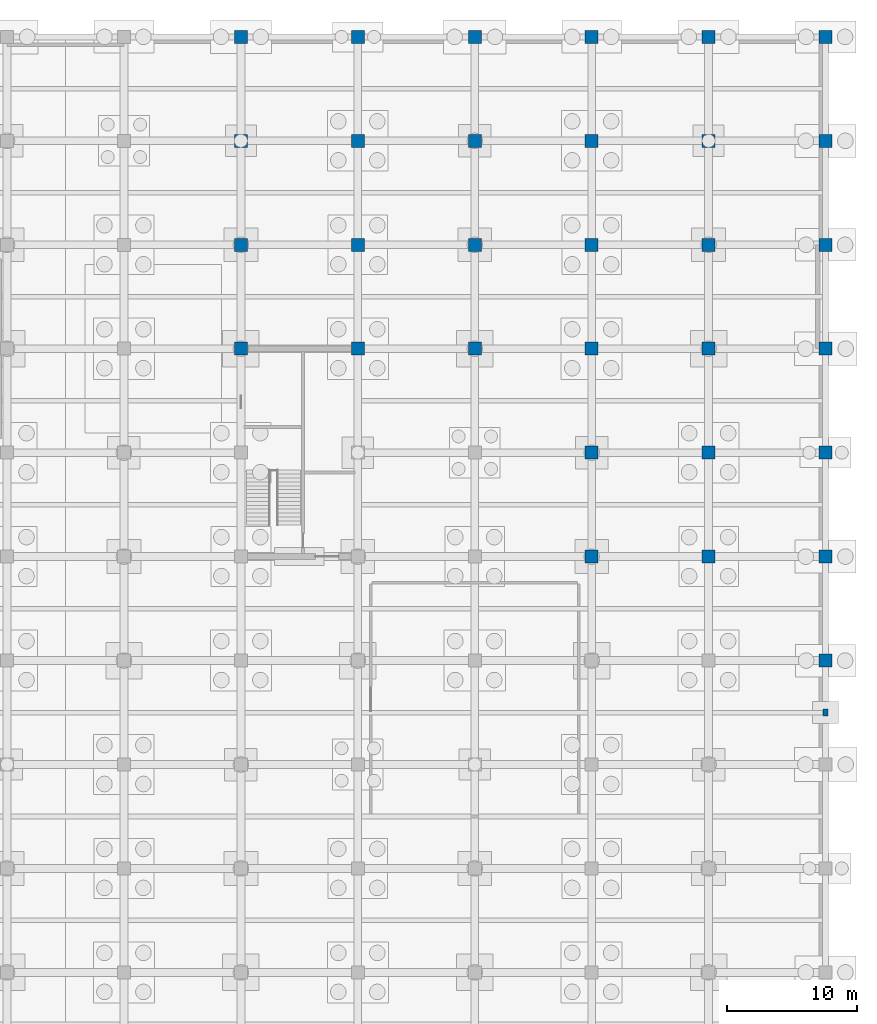
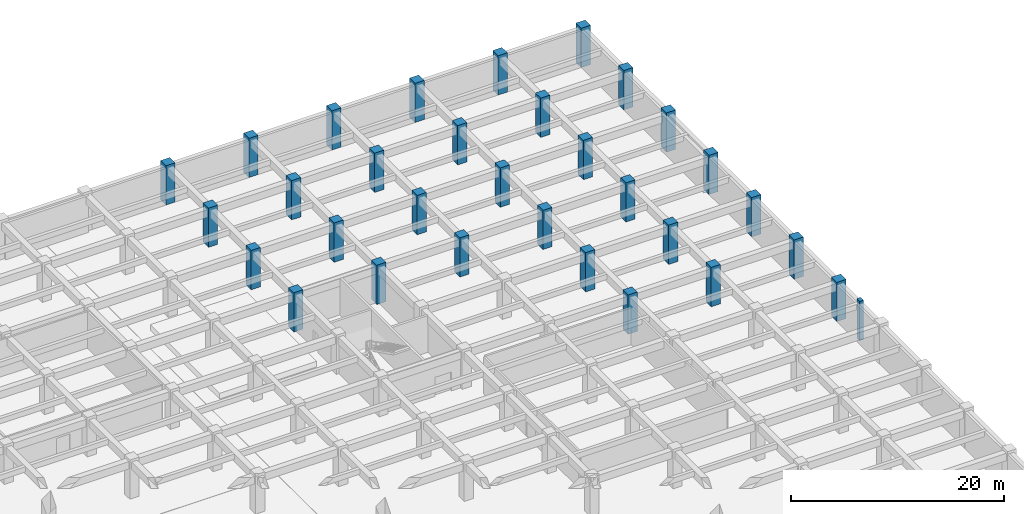
# One storey, part 11 of 31: 32 columns.
"""IFC4 building model written with IfcOpenShell, lengths in metres."""

from ifc_helpers import new_model, si_unit, direction, frame, origin, origin_2d, place, context, subcontext, project, spatial, rectangle, extrude, material, material_profile, profile_set, type_object, element, save


model = new_model("IFC4")

# Units and contexts
model_context = context("Model", 3, precision=1e-05, world=origin(), true_north=direction((0.0, 1.0)))
body_context = subcontext(model_context, "Body", "Model", "MODEL_VIEW")
ifc_project = project(units=[si_unit("LENGTHUNIT", "METRE"), si_unit("AREAUNIT", "SQUARE_METRE"), si_unit("VOLUMEUNIT", "CUBIC_METRE"), si_unit("PLANEANGLEUNIT", "RADIAN"), si_unit("MASSUNIT", "GRAM", prefix="KILO")], contexts=[model_context])

# Site, building, storey
site_placement = place(None, origin())
site = spatial("IfcSite", under=ifc_project, at=site_placement, CompositionType="ELEMENT")
building_placement = place(site_placement, origin())
building = spatial("IfcBuilding", under=site, at=building_placement, Name="Zaverband Oceanarium and Marine Research Institute", CompositionType="ELEMENT")
storey_placement = place(building_placement, frame((0.0, 0.0, -9.0)))
storey = spatial("IfcBuildingStorey", under=building, at=storey_placement, Name="B2", CompositionType="ELEMENT", Elevation=-9.0)

# Columns
ifc_material_1 = material(Name="Concrete C50/60", Category="concrete")
ifc_material_profile_1 = material_profile(ifc_material_1, rectangle(XDim=1.0, YDim=1.0, at=origin_2d()), Name="RC1000x1000")
ifc_profile_set_1 = profile_set([ifc_material_profile_1], Name="Concrete C50/60")
column_type_1 = type_object("IfcColumnType", Name="COL-C1000", PredefinedType="COLUMN", material=ifc_profile_set_1)
for number, where, z_axis, x_axis, name in (
    (1, (135.0, 96.0, 0.0), (0.0, 0.0, 1.0), (1.0, 0.0, 0.0), "Reinforced concrete column RC1000x1000 COL-C1000"),
    (2, (135.0, 104.0, 0.0), (0.0, 0.0, 1.0), (1.0, 0.0, 0.0), "Reinforced concrete column RC1000x1000 COL-C1000"),
    (3, (135.0, 112.0, 0.0), (0.0, 0.0, 1.0), (1.0, 0.0, 0.0), "Reinforced concrete column RC1000x1000 COL-C1000"),
    (4, (135.0, 120.0, 0.0), (0.0, 0.0, 1.0), (1.0, 0.0, 0.0), "Reinforced concrete column RC1000x1000 COL-C1000"),
    (5, (144.0, 96.0, 0.0), (0.0, 0.0, 1.0), (1.0, 0.0, 0.0), "Reinforced concrete column RC1000x1000 COL-C1000"),
    (6, (144.0, 104.0, 0.0), (0.0, 0.0, 1.0), (1.0, 0.0, 0.0), "Reinforced concrete column RC1000x1000 COL-C1000"),
    (7, (144.0, 112.0, 0.0), (0.0, 0.0, 1.0), (1.0, 0.0, 0.0), "Reinforced concrete column RC1000x1000 COL-C1000"),
    (8, (144.0, 120.0, 0.0), (0.0, 0.0, 1.0), (1.0, 0.0, 0.0), "Reinforced concrete column RC1000x1000 COL-C1000"),
    (9, (153.0, 96.0, 0.0), (0.0, 0.0, 1.0), (1.0, 0.0, 0.0), "Reinforced concrete column RC1000x1000 COL-C1000"),
    (10, (153.0, 104.0, 0.0), (0.0, 0.0, 1.0), (1.0, 0.0, 0.0), "Reinforced concrete column RC1000x1000 COL-C1000"),
    (11, (153.0, 112.0, 0.0), (0.0, 0.0, 1.0), (1.0, 0.0, 0.0), "Reinforced concrete column RC1000x1000 COL-C1000"),
    (12, (153.0, 120.0, 0.0), (0.0, 0.0, 1.0), (1.0, 0.0, 0.0), "Reinforced concrete column RC1000x1000 COL-C1000"),
    (13, (162.0, 80.0, 0.0), (0.0, 0.0, 1.0), (1.0, 0.0, 0.0), "Reinforced concrete column RC1000x1000 COL-C1000"),
    (14, (162.0, 88.0, 0.0), (0.0, 0.0, 1.0), (1.0, 0.0, 0.0), "Reinforced concrete column RC1000x1000 COL-C1000"),
    (15, (162.0, 96.0, 0.0), (0.0, 0.0, 1.0), (1.0, 0.0, 0.0), "Reinforced concrete column RC1000x1000 COL-C1000"),
    (16, (162.0, 104.0, 0.0), (0.0, 0.0, 1.0), (1.0, 0.0, 0.0), "Reinforced concrete column RC1000x1000 COL-C1000"),
    (17, (162.0, 112.0, 0.0), (0.0, 0.0, 1.0), (1.0, 0.0, 0.0), "Reinforced concrete column RC1000x1000 COL-C1000"),
    (18, (162.0, 120.0, 0.0), (0.0, 0.0, 1.0), (1.0, 0.0, 0.0), "Reinforced concrete column RC1000x1000 COL-C1000"),
    (19, (171.0, 80.0, 0.0), (0.0, 0.0, 1.0), (1.0, 0.0, 0.0), "Reinforced concrete column RC1000x1000 COL-C1000"),
    (20, (171.0, 88.0, 0.0), (0.0, 0.0, 1.0), (1.0, 0.0, 0.0), "Reinforced concrete column RC1000x1000 COL-C1000"),
    (21, (171.0, 96.0, 0.0), (0.0, 0.0, 1.0), (1.0, 0.0, 0.0), "Reinforced concrete column RC1000x1000 COL-C1000"),
    (22, (171.0, 104.0, 0.0), (0.0, 0.0, 1.0), (1.0, 0.0, 0.0), "Reinforced concrete column RC1000x1000 COL-C1000"),
    (23, (171.0, 112.0, 0.0), (0.0, 0.0, 1.0), (1.0, 0.0, 0.0), "Reinforced concrete column RC1000x1000 COL-C1000"),
    (24, (171.0, 120.0, 0.0), (0.0, 0.0, 1.0), (1.0, 0.0, 0.0), "Reinforced concrete column RC1000x1000 COL-C1000"),
    (25, (180.0, 72.0, 0.0), (0.0, 0.0, 1.0), (1.0, 0.0, 0.0), "Reinforced concrete column RC1000x1000 COL-C1000"),
    (26, (180.0, 80.0, 0.0), (0.0, 0.0, 1.0), (1.0, 0.0, 0.0), "Reinforced concrete column RC1000x1000 COL-C1000"),
    (27, (180.0, 88.0, 0.0), (0.0, 0.0, 1.0), (1.0, 0.0, 0.0), "Reinforced concrete column RC1000x1000 COL-C1000"),
    (28, (180.0, 96.0, 0.0), (0.0, 0.0, 1.0), (1.0, 0.0, 0.0), "Reinforced concrete column RC1000x1000 COL-C1000"),
    (29, (180.0, 104.0, 0.0), (0.0, 0.0, 1.0), (1.0, 0.0, 0.0), "Reinforced concrete column RC1000x1000 COL-C1000"),
    (30, (180.0, 112.0, 0.0), (0.0, 0.0, 1.0), (1.0, 0.0, 0.0), "Reinforced concrete column RC1000x1000 COL-C1000"),
    (31, (180.0, 120.0, 0.0), (0.0, 0.0, 1.0), (1.0, 0.0, 0.0), "Reinforced concrete column RC1000x1000 COL-C1000"),
):
    element("IfcColumn", number, at=place(storey_placement, frame(where, z_axis=z_axis, x_axis=x_axis)), inside=storey, type_object=column_type_1, Name=name, PredefinedType="COLUMN", context=body_context, shape_type="SweptSolid", body=[
        extrude(rectangle(XDim=1.0, YDim=1.0, at=origin_2d()), origin(), (0.0, 0.0, 1.0), 4.5),
    ])
ifc_material_2 = material(Name="Concrete C40/50", Category="concrete")
ifc_material_profile_2 = material_profile(ifc_material_2, rectangle(XDim=0.39990234375, YDim=0.550048828125, at=origin_2d()), Name="RC400x550")
ifc_profile_set_2 = profile_set([ifc_material_profile_2], Name="Concrete C40/50")
column_type_2 = type_object("IfcColumnType", Name="PIL-400x550", PredefinedType="PILASTER", material=ifc_profile_set_2)
column_placement = place(storey_placement, frame((180.0, 68.0, 0.0), z_axis=(0.0, 0.0, 1.0), x_axis=(1.0, 0.0, 0.0)))
element("IfcColumn", 32, at=column_placement, inside=storey, type_object=column_type_2, Name="Fluted precast/cast-in-place colonnade pilaster RC400x550 PIL-400x550", PredefinedType="PILASTER", context=body_context, shape_type="SweptSolid", body=[
    extrude(rectangle(XDim=0.39990234375, YDim=0.550048828125, at=origin_2d()), origin(), (0.0, 0.0, 1.0), 4.5),
])

save(model, "model.ifc")
